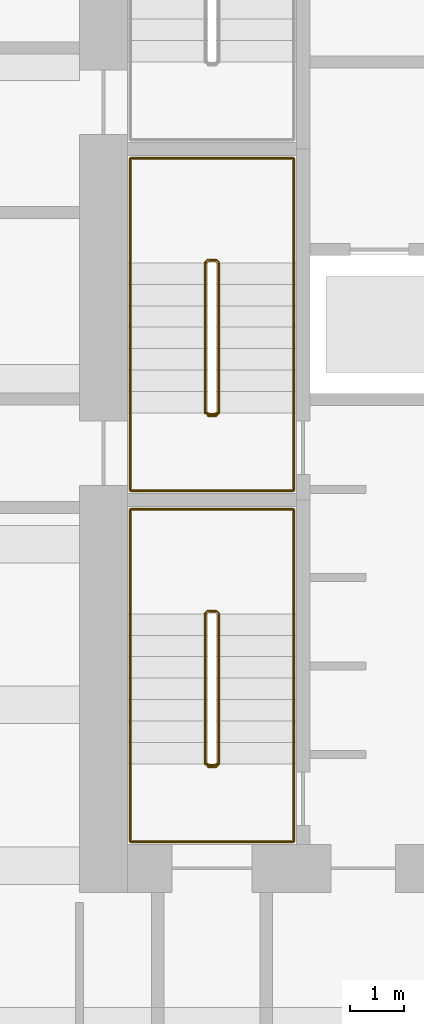
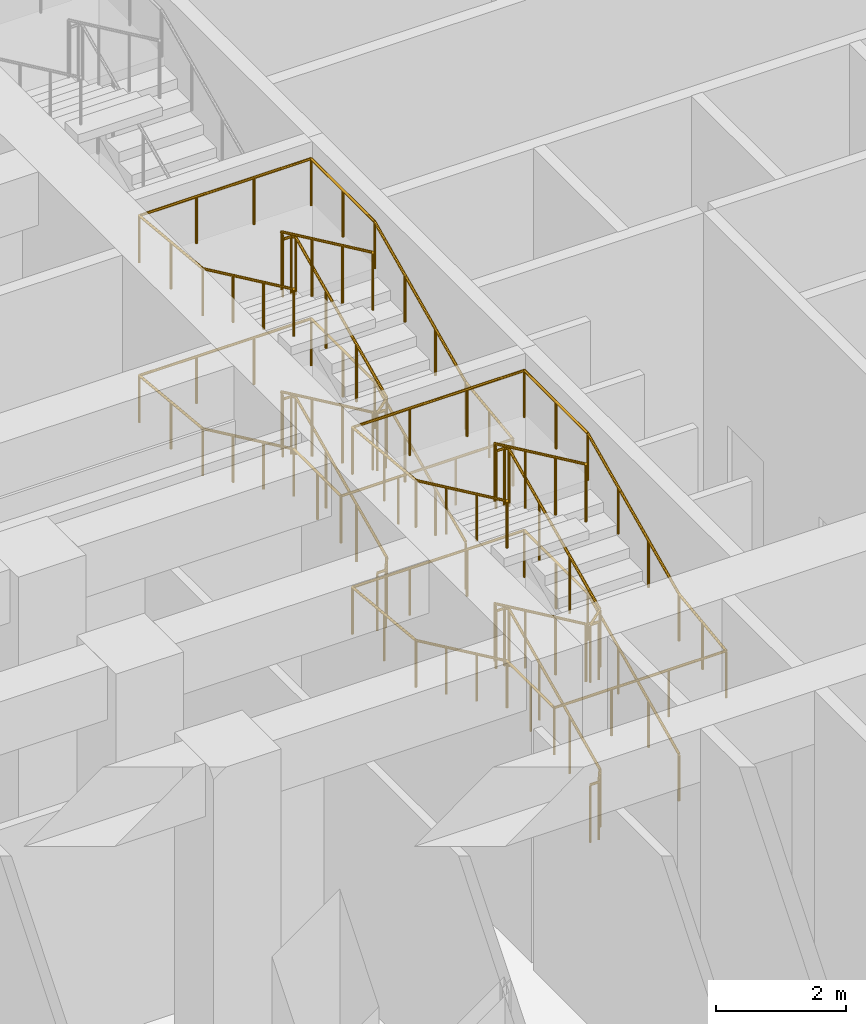
# One storey, part 28 of 32: 4 railings.
"""IFC4 building model written with IfcOpenShell, lengths in metres."""

import ifcopenshell
import ifcopenshell.guid

model = None  # the IFC model being written
_history = None  # IfcOwnerHistory: only IFC2X3 demands one
_inside = {}  # id of a spatial element -> (the spatial element, [elements in it])
_under = {}  # id of a project, library or spatial element -> (it, [spatial elements below it])
_declared = {}  # id of a project -> (the project, [libraries it declares])
_typed = {}  # id of a type object -> (the type object, [elements of that type])
_made_of = {}  # id of a material, layer set ... -> (it, [elements and type objects made of it])


def new_model(schema):
    """Start an empty IFC model of exactly this schema.

    Asked for "IFC4X3", IfcOpenShell would pick the latest addendum, in which some entities
    have other attributes; the version numbers below select the first issue.
    IFC2X3 requires an IfcOwnerHistory on every rooted entity: one is made here for all.
    """
    global model, _history
    if schema == "IFC4X3":
        model = ifcopenshell.file(schema_version=(4, 3, 0, 0))
    else:
        model = ifcopenshell.file(schema=schema)
    _inside.clear()
    _under.clear()
    _declared.clear()
    _typed.clear()
    _made_of.clear()
    _history = None
    if model.schema == "IFC2X3":
        org = make("IfcOrganization", Name="unknown")
        user = make(
            "IfcPersonAndOrganization",
            ThePerson=make("IfcPerson", FamilyName="unknown"),
            TheOrganization=org,
        )
        app = make(
            "IfcApplication",
            ApplicationDeveloper=org,
            Version="unknown",
            ApplicationFullName="unknown",
            ApplicationIdentifier="unknown",
        )
        _history = make(
            "IfcOwnerHistory",
            OwningUser=user,
            OwningApplication=app,
            ChangeAction="ADDED",
            CreationDate=0,
        )
    return model


def make(cls, **values):
    """One entity of the class cls with the attributes given. An attribute that is None is left unset."""
    return model.create_entity(
        cls, **{name: value for name, value in values.items() if value is not None}
    )


def rooted(cls, **values):
    """An entity with a GlobalId (a new one), such as an element, a storey or a relation."""
    return make(cls, GlobalId=ifcopenshell.guid.new(), OwnerHistory=_history, **values)


def si_unit(unit_type, name, prefix=None):
    """IfcSIUnit, for example si_unit("LENGTHUNIT", "METRE", prefix="MILLI")."""
    return make("IfcSIUnit", UnitType=unit_type, Prefix=prefix, Name=name)


def assignment(units):
    """IfcUnitAssignment: the units of a project."""
    return None if units is None else make("IfcUnitAssignment", Units=units)


def point(xyz):
    """IfcCartesianPoint."""
    return None if xyz is None else make("IfcCartesianPoint", Coordinates=xyz)


def direction(xyz):
    """IfcDirection."""
    return None if xyz is None else make("IfcDirection", DirectionRatios=xyz)


def frame(location, z_axis=None, x_axis=None):
    """IfcAxis2Placement3D, a coordinate frame: its origin and axes. An axis left out is left unset."""
    return make(
        "IfcAxis2Placement3D",
        Location=point(location),
        Axis=direction(z_axis),
        RefDirection=direction(x_axis),
    )


def frame_2d(location, x_axis=None):
    """IfcAxis2Placement2D, a coordinate frame in the plane: its origin and x axis."""
    return make(
        "IfcAxis2Placement2D", Location=point(location), RefDirection=direction(x_axis)
    )


def origin():
    """The frame at (0, 0, 0) with its axes left unset."""
    return frame((0.0, 0.0, 0.0))


def origin_2d():
    """The frame at (0, 0) in the plane with its x axis left unset."""
    return frame_2d((0.0, 0.0))


def place(relative_to, where):
    """IfcLocalPlacement: puts the frame where relative to a parent placement (None: the world)."""
    return make(
        "IfcLocalPlacement", PlacementRelTo=relative_to, RelativePlacement=where
    )


def context(
    kind, dimensions, precision=None, world=None, true_north=None, identifier=None
):
    """IfcGeometricRepresentationContext, for example the 3D "Model" context."""
    return make(
        "IfcGeometricRepresentationContext",
        ContextIdentifier=identifier,
        ContextType=kind,
        CoordinateSpaceDimension=dimensions,
        Precision=precision,
        WorldCoordinateSystem=world,
        TrueNorth=true_north,
    )


def subcontext(parent, identifier, kind, view, scale=None):
    """IfcGeometricRepresentationSubContext, for example "Body" below "Model"."""
    return make(
        "IfcGeometricRepresentationSubContext",
        ContextIdentifier=identifier,
        ContextType=kind,
        ParentContext=parent,
        TargetScale=scale,
        TargetView=view,
    )


def project(units=None, contexts=None):
    """IfcProject with its units and contexts."""
    return rooted(
        "IfcProject",
        Name="project",
        RepresentationContexts=contexts,
        UnitsInContext=assignment(units),
    )


def spatial(cls, under=None, at=None, **own):
    """A site, building, storey or space (cls), placed at a placement, below another one or the project."""
    s = rooted(cls, ObjectPlacement=at, **own)
    if under is not None:
        _under.setdefault(under.id(), (under, []))[1].append(s)
    return s


def profile(cls, at=None, kind="AREA", **sizes):
    """A parametric profile (cls). Its sizes go by their IFC names, for example OverallWidth=200.0."""
    return make(cls, ProfileType=kind, Position=at, **sizes)


def circle(**sizes):
    """IfcCircleProfileDef."""
    return profile("IfcCircleProfileDef", **sizes)


def extrude(swept, where, along, depth):
    """IfcExtrudedAreaSolid: the profile swept, set in the frame where, extruded along a direction by depth."""
    return make(
        "IfcExtrudedAreaSolid",
        SweptArea=swept,
        Position=where,
        ExtrudedDirection=direction(along),
        Depth=depth,
    )


def shape(context_of_items, identifier, shape_type, items):
    """IfcShapeRepresentation: the items that make up one representation, for example the "Body"."""
    return make(
        "IfcShapeRepresentation",
        ContextOfItems=context_of_items,
        RepresentationIdentifier=identifier,
        RepresentationType=shape_type,
        Items=items,
    )


def material(Name=None, Category=None):
    """IfcMaterial."""
    return make("IfcMaterial", Name=Name, Category=Category)


def made_of(thing, what):
    """Note that an element or type object is made of a material, layer set ...; save() writes the relation."""
    if what is not None:
        _made_of.setdefault(what.id(), (what, []))[1].append(thing)
    return thing


def type_object(cls, material=None, **own):
    """A type object (cls), such as IfcWallType, which elements share."""
    return made_of(rooted(cls, **own), material)


def element(
    cls,
    number,
    at=None,
    inside=None,
    cuts=None,
    type_object=None,
    material=None,
    context=None,
    identifier="Body",
    shape_type=None,
    held_by="IfcProductDefinitionShape",
    body=None,
    shapes=None,
    **own,
):
    """One element of the class cls, such as IfcWall. Its Tag is "e" and its number.

    at: its placement. inside: the storey or other place that contains it. cuts: it is an
    opening in that element (IfcRelVoidsElement). A single representation is given by context,
    identifier, shape_type and body (its items); several are given by shapes. held_by: the class
    of the entity that holds the representations. save() writes the other relations.
    """
    e = rooted(cls, Tag="e%d" % number, ObjectPlacement=at, **own)
    if body is not None:
        shapes = [shape(context, identifier, shape_type, body)]
    if shapes is not None:
        e.Representation = make(held_by, Representations=shapes)
    if inside is not None:
        _inside.setdefault(inside.id(), (inside, []))[1].append(e)
    if cuts is not None:
        rooted(
            "IfcRelVoidsElement", RelatingBuildingElement=cuts, RelatedOpeningElement=e
        )
    if type_object is not None:
        _typed.setdefault(type_object.id(), (type_object, []))[1].append(e)
    return made_of(e, material)


def aggregate(whole, parts):
    """IfcRelAggregates: a whole, such as a stair, and the parts it consists of."""
    return rooted("IfcRelAggregates", RelatingObject=whole, RelatedObjects=parts)


def save(model, path):
    """Write the relations noted so far, then the file.

    IfcRelAggregates (storeys below a building ...), IfcRelContainedInSpatialStructure (elements
    in a storey), IfcRelDefinesByType, IfcRelAssociatesMaterial and IfcRelDeclares: one each for
    every whole, place, type object, material and project.
    """
    for whole, parts in _under.values():
        aggregate(whole, parts)
    for where, things in _inside.values():
        rooted(
            "IfcRelContainedInSpatialStructure",
            RelatedElements=things,
            RelatingStructure=where,
        )
    for kind, things in _typed.values():
        rooted("IfcRelDefinesByType", RelatedObjects=things, RelatingType=kind)
    for what, things in _made_of.values():
        rooted("IfcRelAssociatesMaterial", RelatedObjects=things, RelatingMaterial=what)
    for by, libraries in _declared.values():
        rooted("IfcRelDeclares", RelatingContext=by, RelatedDefinitions=libraries)
    model.write(path)


model = new_model("IFC4")

# Units and contexts
model_context = context("Model", 3, precision=1e-05, world=origin(), true_north=direction((0.0, 1.0)))
body_context = subcontext(model_context, "Body", "Model", "MODEL_VIEW")
ifc_project = project(units=[si_unit("LENGTHUNIT", "METRE"), si_unit("AREAUNIT", "SQUARE_METRE"), si_unit("VOLUMEUNIT", "CUBIC_METRE"), si_unit("PLANEANGLEUNIT", "RADIAN"), si_unit("MASSUNIT", "GRAM", prefix="KILO")], contexts=[model_context])

# Site, building, storey
site_placement = place(None, origin())
site = spatial("IfcSite", under=ifc_project, at=site_placement, CompositionType="ELEMENT")
building_placement = place(site_placement, origin())
building = spatial("IfcBuilding", under=site, at=building_placement, Name="Welwitschia Terrace Campus", CompositionType="ELEMENT")
storey_placement = place(building_placement, origin())
storey = spatial("IfcBuildingStorey", under=building, at=storey_placement, Name="L00", CompositionType="ELEMENT", Elevation=0.0)

# Railings
ifc_material_1 = material(Name="Steel S355", Category="steel")
railing_type_1 = type_object("IfcRailingType", Name="Stair guard 1100", PredefinedType="GUARDRAIL", material=ifc_material_1)
railing_1_placement = place(storey_placement, frame((7.5, 6.85009765625, 0.0)))
element("IfcRailing", 1, at=railing_1_placement, inside=storey, type_object=railing_type_1, Name="L00 S1 stair guard", PredefinedType="GUARDRAIL", context=body_context, shape_type="SweptSolid", body=[
    extrude(circle(Radius=0.02392578125, at=origin_2d()), frame((0.0, 0.0, 1.076171875), z_axis=(1.0, 0.0, 0.0), x_axis=(0.0, 1.0, 0.0)), (0.0, 0.0, 1.0), 0.14990234375),
    extrude(circle(Radius=0.02392578125, at=origin_2d()), frame((0.14990234375, 0.0, 1.076171875), z_axis=(0.249802250048, 0.248583702486, 0.935844527007), x_axis=(-0.705375805398, 0.708833529934, 0.0)), (0.0, 0.0, 1.0), 0.200439453125),
    extrude(circle(Radius=0.02392578125, at=origin_2d()), frame((0.199951171875, 0.0498046875, 1.263671875), z_axis=(0.0, 0.905461780365, 0.424427808112), x_axis=(-1.0, 0.0, 0.0)), (0.0, 0.0, 1.0), 3.09228515625),
    extrude(circle(Radius=0.02392578125, at=origin_2d()), frame((0.199951171875, 2.849853515625, 2.576171875), z_axis=(-0.707106781187, 0.707106781187, 0.0), x_axis=(-0.707106781187, -0.707106781187, 0.0)), (0.0, 0.0, 1.0), 0.07080078125),
    extrude(circle(Radius=0.02392578125, at=origin_2d()), frame((0.14990234375, 2.89990234375, 2.576171875), z_axis=(-1.0, 0.0, 0.0), x_axis=(0.0, -1.0, 0.0)), (0.0, 0.0, 1.0), 0.14990234375),
    extrude(circle(Radius=0.02392578125, at=origin_2d()), frame((0.0, 2.89990234375, 2.576171875), z_axis=(-0.249726431254, -0.249726431254, 0.935560483917), x_axis=(0.707106781187, -0.707106781187, 0.0)), (0.0, 0.0, 1.0), 0.200439453125),
    extrude(circle(Radius=0.02392578125, at=origin_2d()), frame((-0.050048828125, 2.849853515625, 2.763671875), z_axis=(0.0, -0.905461780365, 0.424427808112), x_axis=(1.0, 0.0, 0.0)), (0.0, 0.0, 1.0), 3.09228515625),
    extrude(circle(Radius=0.02392578125, at=origin_2d()), frame((-0.050048828125, 0.0498046875, 4.076171875), z_axis=(0.970351222016, -0.241699205484, 0.0), x_axis=(0.241699205484, 0.970351222016, 0.0)), (0.0, 0.0, 1.0), 0.2060546875),
    extrude(circle(Radius=0.02392578125, at=origin_2d()), frame((0.14990234375, 0.0, 4.076171875), z_axis=(-1.0, 0.0, 0.0), x_axis=(0.0, -1.0, 0.0)), (0.0, 0.0, 1.0), 0.14990234375),
    extrude(circle(Radius=0.02392578125, at=origin_2d()), frame((0.0, 0.0, 4.076171875), z_axis=(0.717703211385, 0.178768565473, 0.673011070017), x_axis=(-0.241699205484, 0.970351222016, 0.0)), (0.0, 0.0, 1.0), 0.278564453125),
    extrude(circle(Radius=0.02392578125, at=origin_2d()), frame((0.199951171875, 0.0498046875, 4.263671875), z_axis=(0.0, 0.905461780365, 0.424427808112), x_axis=(-1.0, 0.0, 0.0)), (0.0, 0.0, 1.0), 3.09228515625),
    extrude(circle(Radius=0.02392578125, at=origin_2d()), frame((0.199951171875, 2.849853515625, 5.576171875), z_axis=(-0.707106781187, 0.707106781187, 0.0), x_axis=(-0.707106781187, -0.707106781187, 0.0)), (0.0, 0.0, 1.0), 0.07080078125),
    extrude(circle(Radius=0.02392578125, at=origin_2d()), frame((0.14990234375, 2.89990234375, 5.576171875), z_axis=(-1.0, 0.0, 0.0), x_axis=(0.0, -1.0, 0.0)), (0.0, 0.0, 1.0), 0.14990234375),
    extrude(circle(Radius=0.02392578125, at=origin_2d()), frame((0.0, 2.89990234375, 5.576171875), z_axis=(-0.249726431254, -0.249726431254, 0.935560483917), x_axis=(0.707106781187, -0.707106781187, 0.0)), (0.0, 0.0, 1.0), 0.200439453125),
    extrude(circle(Radius=0.02392578125, at=origin_2d()), frame((-0.050048828125, 2.849853515625, 5.763671875), z_axis=(0.0, -0.905461780365, 0.424427808112), x_axis=(1.0, 0.0, 0.0)), (0.0, 0.0, 1.0), 3.09228515625),
    extrude(circle(Radius=0.02099609375, at=origin_2d()), origin(), (0.0, 0.0, 1.0), 1.052001953125),
    extrude(circle(Radius=0.02099609375, at=origin_2d()), frame((0.14990234375, 0.0, 0.0)), (0.0, 0.0, 1.0), 1.052001953125),
    extrude(circle(Radius=0.02099609375, at=origin_2d()), frame((0.199951171875, 0.0498046875, 0.1875)), (0.0, 0.0, 1.0), 1.052001953125),
    extrude(circle(Radius=0.02099609375, at=origin_2d()), frame((0.199951171875, 0.983154296875, 0.625)), (0.0, 0.0, 1.0), 1.052001953125),
    extrude(circle(Radius=0.02099609375, at=origin_2d()), frame((0.199951171875, 1.91650390625, 1.0625)), (0.0, 0.0, 1.0), 1.052001953125),
    extrude(circle(Radius=0.02099609375, at=origin_2d()), frame((0.199951171875, 2.849853515625, 1.5)), (0.0, 0.0, 1.0), 1.052001953125),
    extrude(circle(Radius=0.02099609375, at=origin_2d()), frame((0.14990234375, 2.89990234375, 1.5)), (0.0, 0.0, 1.0), 1.052001953125),
    extrude(circle(Radius=0.02099609375, at=origin_2d()), frame((0.0, 2.89990234375, 1.5)), (0.0, 0.0, 1.0), 1.052001953125),
    extrude(circle(Radius=0.02099609375, at=origin_2d()), frame((-0.050048828125, 2.849853515625, 1.6875)), (0.0, 0.0, 1.0), 1.052001953125),
    extrude(circle(Radius=0.02099609375, at=origin_2d()), frame((-0.050048828125, 1.91650390625, 2.125)), (0.0, 0.0, 1.0), 1.052001953125),
    extrude(circle(Radius=0.02099609375, at=origin_2d()), frame((-0.050048828125, 0.983154296875, 2.5625)), (0.0, 0.0, 1.0), 1.052001953125),
    extrude(circle(Radius=0.02099609375, at=origin_2d()), frame((-0.050048828125, 0.0498046875, 3.0)), (0.0, 0.0, 1.0), 1.052001953125),
    extrude(circle(Radius=0.02099609375, at=origin_2d()), frame((0.14990234375, 0.0, 3.0)), (0.0, 0.0, 1.0), 1.052001953125),
    extrude(circle(Radius=0.02099609375, at=origin_2d()), frame((0.0, 0.0, 3.0)), (0.0, 0.0, 1.0), 1.052001953125),
    extrude(circle(Radius=0.02099609375, at=origin_2d()), frame((0.199951171875, 0.0498046875, 3.1875)), (0.0, 0.0, 1.0), 1.052001953125),
    extrude(circle(Radius=0.02099609375, at=origin_2d()), frame((0.199951171875, 0.983154296875, 3.625)), (0.0, 0.0, 1.0), 1.052001953125),
    extrude(circle(Radius=0.02099609375, at=origin_2d()), frame((0.199951171875, 1.91650390625, 4.0625)), (0.0, 0.0, 1.0), 1.052001953125),
    extrude(circle(Radius=0.02099609375, at=origin_2d()), frame((0.199951171875, 2.849853515625, 4.5)), (0.0, 0.0, 1.0), 1.052001953125),
    extrude(circle(Radius=0.02099609375, at=origin_2d()), frame((0.14990234375, 2.89990234375, 4.5)), (0.0, 0.0, 1.0), 1.052001953125),
    extrude(circle(Radius=0.02099609375, at=origin_2d()), frame((0.0, 2.89990234375, 4.5)), (0.0, 0.0, 1.0), 1.052001953125),
    extrude(circle(Radius=0.02099609375, at=origin_2d()), frame((-0.050048828125, 2.849853515625, 4.6875)), (0.0, 0.0, 1.0), 1.052001953125),
    extrude(circle(Radius=0.02099609375, at=origin_2d()), frame((-0.050048828125, 1.91650390625, 5.125)), (0.0, 0.0, 1.0), 1.052001953125),
    extrude(circle(Radius=0.02099609375, at=origin_2d()), frame((-0.050048828125, 0.983154296875, 5.5625)), (0.0, 0.0, 1.0), 1.052001953125),
    extrude(circle(Radius=0.02099609375, at=origin_2d()), frame((-0.050048828125, 0.0498046875, 6.0)), (0.0, 0.0, 1.0), 1.052001953125),
])
railing_2_placement = place(storey_placement, frame((7.5, 13.39990234375, 0.0)))
element("IfcRailing", 2, at=railing_2_placement, inside=storey, type_object=railing_type_1, Name="L00 S3 stair guard", PredefinedType="GUARDRAIL", context=body_context, shape_type="SweptSolid", body=[
    extrude(circle(Radius=0.02392578125, at=origin_2d()), frame((0.0, 0.0, 1.076171875), z_axis=(1.0, 0.0, 0.0), x_axis=(0.0, 1.0, 0.0)), (0.0, 0.0, 1.0), 0.14990234375),
    extrude(circle(Radius=0.02392578125, at=origin_2d()), frame((0.14990234375, 0.0, 1.076171875), z_axis=(0.249726431254, 0.249726431254, 0.935560483917), x_axis=(-0.707106781187, 0.707106781187, 0.0)), (0.0, 0.0, 1.0), 0.200439453125),
    extrude(circle(Radius=0.02392578125, at=origin_2d()), frame((0.199951171875, 0.050048828125, 1.263671875), z_axis=(0.0, 0.905461780365, 0.424427808112), x_axis=(-1.0, 0.0, 0.0)), (0.0, 0.0, 1.0), 3.09228515625),
    extrude(circle(Radius=0.02392578125, at=origin_2d()), frame((0.199951171875, 2.85009765625, 2.576171875), z_axis=(-0.707106781187, 0.707106781187, 0.0), x_axis=(-0.707106781187, -0.707106781187, 0.0)), (0.0, 0.0, 1.0), 0.07080078125),
    extrude(circle(Radius=0.02392578125, at=origin_2d()), frame((0.14990234375, 2.900146484375, 2.576171875), z_axis=(-1.0, 0.0, 0.0), x_axis=(0.0, -1.0, 0.0)), (0.0, 0.0, 1.0), 0.14990234375),
    extrude(circle(Radius=0.02392578125, at=origin_2d()), frame((0.0, 2.900146484375, 2.576171875), z_axis=(-0.249726431254, -0.249726431254, 0.935560483917), x_axis=(0.707106781187, -0.707106781187, 0.0)), (0.0, 0.0, 1.0), 0.200439453125),
    extrude(circle(Radius=0.02392578125, at=origin_2d()), frame((-0.050048828125, 2.85009765625, 2.763671875), z_axis=(0.0, -0.905461780365, 0.424427808112), x_axis=(1.0, 0.0, 0.0)), (0.0, 0.0, 1.0), 3.09228515625),
    extrude(circle(Radius=0.02392578125, at=origin_2d()), frame((-0.050048828125, 0.050048828125, 4.076171875), z_axis=(0.970072785993, -0.242814311512, 0.0), x_axis=(0.242814311512, 0.970072785993, 0.0)), (0.0, 0.0, 1.0), 0.2060546875),
    extrude(circle(Radius=0.02392578125, at=origin_2d()), frame((0.14990234375, 0.0, 4.076171875), z_axis=(-1.0, 0.0, 0.0), x_axis=(0.0, -1.0, 0.0)), (0.0, 0.0, 1.0), 0.14990234375),
    extrude(circle(Radius=0.02392578125, at=origin_2d()), frame((0.0, 0.0, 4.076171875), z_axis=(0.717590528518, 0.179616676857, 0.672905404032), x_axis=(-0.242814311512, 0.970072785993, 0.0)), (0.0, 0.0, 1.0), 0.278564453125),
    extrude(circle(Radius=0.02392578125, at=origin_2d()), frame((0.199951171875, 0.050048828125, 4.263671875), z_axis=(0.0, 0.905461780365, 0.424427808112), x_axis=(-1.0, 0.0, 0.0)), (0.0, 0.0, 1.0), 3.09228515625),
    extrude(circle(Radius=0.02392578125, at=origin_2d()), frame((0.199951171875, 2.85009765625, 5.576171875), z_axis=(-0.707106781187, 0.707106781187, 0.0), x_axis=(-0.707106781187, -0.707106781187, 0.0)), (0.0, 0.0, 1.0), 0.07080078125),
    extrude(circle(Radius=0.02392578125, at=origin_2d()), frame((0.14990234375, 2.900146484375, 5.576171875), z_axis=(-1.0, 0.0, 0.0), x_axis=(0.0, -1.0, 0.0)), (0.0, 0.0, 1.0), 0.14990234375),
    extrude(circle(Radius=0.02392578125, at=origin_2d()), frame((0.0, 2.900146484375, 5.576171875), z_axis=(-0.249726431254, -0.249726431254, 0.935560483917), x_axis=(0.707106781187, -0.707106781187, 0.0)), (0.0, 0.0, 1.0), 0.200439453125),
    extrude(circle(Radius=0.02392578125, at=origin_2d()), frame((-0.050048828125, 2.85009765625, 5.763671875), z_axis=(0.0, -0.905461780365, 0.424427808112), x_axis=(1.0, 0.0, 0.0)), (0.0, 0.0, 1.0), 3.09228515625),
    extrude(circle(Radius=0.02099609375, at=origin_2d()), origin(), (0.0, 0.0, 1.0), 1.052001953125),
    extrude(circle(Radius=0.02099609375, at=origin_2d()), frame((0.14990234375, 0.0, 0.0)), (0.0, 0.0, 1.0), 1.052001953125),
    extrude(circle(Radius=0.02099609375, at=origin_2d()), frame((0.199951171875, 0.050048828125, 0.1875)), (0.0, 0.0, 1.0), 1.052001953125),
    extrude(circle(Radius=0.02099609375, at=origin_2d()), frame((0.199951171875, 0.9833984375, 0.625)), (0.0, 0.0, 1.0), 1.052001953125),
    extrude(circle(Radius=0.02099609375, at=origin_2d()), frame((0.199951171875, 1.916748046875, 1.0625)), (0.0, 0.0, 1.0), 1.052001953125),
    extrude(circle(Radius=0.02099609375, at=origin_2d()), frame((0.199951171875, 2.85009765625, 1.5)), (0.0, 0.0, 1.0), 1.052001953125),
    extrude(circle(Radius=0.02099609375, at=origin_2d()), frame((0.14990234375, 2.900146484375, 1.5)), (0.0, 0.0, 1.0), 1.052001953125),
    extrude(circle(Radius=0.02099609375, at=origin_2d()), frame((0.0, 2.900146484375, 1.5)), (0.0, 0.0, 1.0), 1.052001953125),
    extrude(circle(Radius=0.02099609375, at=origin_2d()), frame((-0.050048828125, 2.85009765625, 1.6875)), (0.0, 0.0, 1.0), 1.052001953125),
    extrude(circle(Radius=0.02099609375, at=origin_2d()), frame((-0.050048828125, 1.916748046875, 2.125)), (0.0, 0.0, 1.0), 1.052001953125),
    extrude(circle(Radius=0.02099609375, at=origin_2d()), frame((-0.050048828125, 0.9833984375, 2.5625)), (0.0, 0.0, 1.0), 1.052001953125),
    extrude(circle(Radius=0.02099609375, at=origin_2d()), frame((-0.050048828125, 0.050048828125, 3.0)), (0.0, 0.0, 1.0), 1.052001953125),
    extrude(circle(Radius=0.02099609375, at=origin_2d()), frame((0.14990234375, 0.0, 3.0)), (0.0, 0.0, 1.0), 1.052001953125),
    extrude(circle(Radius=0.02099609375, at=origin_2d()), frame((0.0, 0.0, 3.0)), (0.0, 0.0, 1.0), 1.052001953125),
    extrude(circle(Radius=0.02099609375, at=origin_2d()), frame((0.199951171875, 0.050048828125, 3.1875)), (0.0, 0.0, 1.0), 1.052001953125),
    extrude(circle(Radius=0.02099609375, at=origin_2d()), frame((0.199951171875, 0.9833984375, 3.625)), (0.0, 0.0, 1.0), 1.052001953125),
    extrude(circle(Radius=0.02099609375, at=origin_2d()), frame((0.199951171875, 1.916748046875, 4.0625)), (0.0, 0.0, 1.0), 1.052001953125),
    extrude(circle(Radius=0.02099609375, at=origin_2d()), frame((0.199951171875, 2.85009765625, 4.5)), (0.0, 0.0, 1.0), 1.052001953125),
    extrude(circle(Radius=0.02099609375, at=origin_2d()), frame((0.14990234375, 2.900146484375, 4.5)), (0.0, 0.0, 1.0), 1.052001953125),
    extrude(circle(Radius=0.02099609375, at=origin_2d()), frame((0.0, 2.900146484375, 4.5)), (0.0, 0.0, 1.0), 1.052001953125),
    extrude(circle(Radius=0.02099609375, at=origin_2d()), frame((-0.050048828125, 2.85009765625, 4.6875)), (0.0, 0.0, 1.0), 1.052001953125),
    extrude(circle(Radius=0.02099609375, at=origin_2d()), frame((-0.050048828125, 1.916748046875, 5.125)), (0.0, 0.0, 1.0), 1.052001953125),
    extrude(circle(Radius=0.02099609375, at=origin_2d()), frame((-0.050048828125, 0.9833984375, 5.5625)), (0.0, 0.0, 1.0), 1.052001953125),
    extrude(circle(Radius=0.02099609375, at=origin_2d()), frame((-0.050048828125, 0.050048828125, 6.0)), (0.0, 0.0, 1.0), 1.052001953125),
])
ifc_material_2 = material(Name="Steel S355", Category="steel")
railing_type_2 = type_object("IfcRailingType", Name="Stair handrail 900", PredefinedType="HANDRAIL", material=ifc_material_2)
railing_3_placement = place(storey_placement, frame((9.10009765625, 6.89990234375, 0.1875)))
element("IfcRailing", 3, at=railing_3_placement, inside=storey, type_object=railing_type_2, Name="L00 S1 stair handrail", PredefinedType="HANDRAIL", context=body_context, shape_type="SweptSolid", body=[
    extrude(circle(Radius=0.02392578125, at=origin_2d()), frame((0.0, 0.0, 0.8759765625), z_axis=(0.0, 0.905461780365, 0.424427808112), x_axis=(-1.0, 0.0, 0.0)), (0.0, 0.0, 1.0), 3.09228515625),
    extrude(circle(Radius=0.02392578125, at=origin_2d()), frame((0.0, 2.800048828125, 2.1884765625), z_axis=(0.0, 1.0, 0.0), x_axis=(-1.0, 0.0, 0.0)), (0.0, 0.0, 1.0), 1.949951171875),
    extrude(circle(Radius=0.02392578125, at=origin_2d()), frame((0.0, 4.75, 2.1884765625), z_axis=(-1.0, 0.0, 0.0), x_axis=(0.0, -1.0, 0.0)), (0.0, 0.0, 1.0), 3.050048828125),
    extrude(circle(Radius=0.02392578125, at=origin_2d()), frame((-3.050048828125, 4.75, 2.1884765625), z_axis=(0.0, -0.995408800756, 0.095714781392), x_axis=(1.0, 0.0, 0.0)), (0.0, 0.0, 1.0), 1.958984375),
    extrude(circle(Radius=0.02392578125, at=origin_2d()), frame((-3.050048828125, 2.800048828125, 2.3759765625), z_axis=(0.0, -0.905461780365, 0.424427808112), x_axis=(1.0, 0.0, 0.0)), (0.0, 0.0, 1.0), 3.09228515625),
    extrude(circle(Radius=0.02392578125, at=origin_2d()), frame((-3.050048828125, 0.0, 3.6884765625), z_axis=(0.0, -1.0, 0.0), x_axis=(1.0, 0.0, 0.0)), (0.0, 0.0, 1.0), 1.449951171875),
    extrude(circle(Radius=0.02392578125, at=origin_2d()), frame((-3.050048828125, -1.449951171875, 3.6884765625), z_axis=(1.0, 0.0, 0.0), x_axis=(0.0, 1.0, 0.0)), (0.0, 0.0, 1.0), 3.050048828125),
    extrude(circle(Radius=0.02392578125, at=origin_2d()), frame((0.0, -1.449951171875, 3.6884765625), z_axis=(0.0, 0.991742277163, 0.128246854498), x_axis=(-1.0, 0.0, 0.0)), (0.0, 0.0, 1.0), 1.4619140625),
    extrude(circle(Radius=0.02392578125, at=origin_2d()), frame((0.0, 0.0, 3.8759765625), z_axis=(0.0, 0.905461780365, 0.424427808112), x_axis=(-1.0, 0.0, 0.0)), (0.0, 0.0, 1.0), 3.09228515625),
    extrude(circle(Radius=0.02392578125, at=origin_2d()), frame((0.0, 2.800048828125, 5.1884765625), z_axis=(0.0, 1.0, 0.0), x_axis=(-1.0, 0.0, 0.0)), (0.0, 0.0, 1.0), 1.949951171875),
    extrude(circle(Radius=0.02392578125, at=origin_2d()), frame((0.0, 4.75, 5.1884765625), z_axis=(-1.0, 0.0, 0.0), x_axis=(0.0, -1.0, 0.0)), (0.0, 0.0, 1.0), 3.050048828125),
    extrude(circle(Radius=0.02392578125, at=origin_2d()), frame((-3.050048828125, 4.75, 5.1884765625), z_axis=(0.0, -0.995408800756, 0.095714781392), x_axis=(1.0, 0.0, 0.0)), (0.0, 0.0, 1.0), 1.958984375),
    extrude(circle(Radius=0.02392578125, at=origin_2d()), frame((-3.050048828125, 2.800048828125, 5.3759765625), z_axis=(0.0, -0.905461780365, 0.424427808112), x_axis=(1.0, 0.0, 0.0)), (0.0, 0.0, 1.0), 3.09228515625),
    extrude(circle(Radius=0.02099609375, at=origin_2d()), origin(), (0.0, 0.0, 1.0), 0.851806640625),
    extrude(circle(Radius=0.02099609375, at=origin_2d()), frame((0.0, 0.933349609375, 0.4375)), (0.0, 0.0, 1.0), 0.851806640625),
    extrude(circle(Radius=0.02099609375, at=origin_2d()), frame((0.0, 1.86669921875, 0.875)), (0.0, 0.0, 1.0), 0.851806640625),
    extrude(circle(Radius=0.02099609375, at=origin_2d()), frame((0.0, 2.800048828125, 1.3125)), (0.0, 0.0, 1.0), 0.851806640625),
    extrude(circle(Radius=0.02099609375, at=origin_2d()), frame((0.0, 3.77490234375, 1.3125)), (0.0, 0.0, 1.0), 0.851806640625),
    extrude(circle(Radius=0.02099609375, at=origin_2d()), frame((0.0, 4.75, 1.3125)), (0.0, 0.0, 1.0), 0.851806640625),
    extrude(circle(Radius=0.02099609375, at=origin_2d()), frame((-1.0166015625, 4.75, 1.3125)), (0.0, 0.0, 1.0), 0.851806640625),
    extrude(circle(Radius=0.02099609375, at=origin_2d()), frame((-2.033447265625, 4.75, 1.3125)), (0.0, 0.0, 1.0), 0.851806640625),
    extrude(circle(Radius=0.02099609375, at=origin_2d()), frame((-3.050048828125, 4.75, 1.3125)), (0.0, 0.0, 1.0), 0.851806640625),
    extrude(circle(Radius=0.02099609375, at=origin_2d()), frame((-3.050048828125, 3.77490234375, 1.40625)), (0.0, 0.0, 1.0), 0.851806640625),
    extrude(circle(Radius=0.02099609375, at=origin_2d()), frame((-3.050048828125, 2.800048828125, 1.5)), (0.0, 0.0, 1.0), 0.851806640625),
    extrude(circle(Radius=0.02099609375, at=origin_2d()), frame((-3.050048828125, 1.86669921875, 1.9375)), (0.0, 0.0, 1.0), 0.851806640625),
    extrude(circle(Radius=0.02099609375, at=origin_2d()), frame((-3.050048828125, 0.933349609375, 2.375)), (0.0, 0.0, 1.0), 0.851806640625),
    extrude(circle(Radius=0.02099609375, at=origin_2d()), frame((-3.050048828125, 0.0, 2.8125)), (0.0, 0.0, 1.0), 0.851806640625),
    extrude(circle(Radius=0.02099609375, at=origin_2d()), frame((-3.050048828125, -0.72509765625, 2.8125)), (0.0, 0.0, 1.0), 0.851806640625),
    extrude(circle(Radius=0.02099609375, at=origin_2d()), frame((-3.050048828125, -1.449951171875, 2.8125)), (0.0, 0.0, 1.0), 0.851806640625),
    extrude(circle(Radius=0.02099609375, at=origin_2d()), frame((-2.033447265625, -1.449951171875, 2.8125)), (0.0, 0.0, 1.0), 0.851806640625),
    extrude(circle(Radius=0.02099609375, at=origin_2d()), frame((-1.0166015625, -1.449951171875, 2.8125)), (0.0, 0.0, 1.0), 0.851806640625),
    extrude(circle(Radius=0.02099609375, at=origin_2d()), frame((0.0, -1.449951171875, 2.8125)), (0.0, 0.0, 1.0), 0.851806640625),
    extrude(circle(Radius=0.02099609375, at=origin_2d()), frame((0.0, -0.72509765625, 2.90625)), (0.0, 0.0, 1.0), 0.851806640625),
    extrude(circle(Radius=0.02099609375, at=origin_2d()), frame((0.0, 0.0, 3.0)), (0.0, 0.0, 1.0), 0.851806640625),
    extrude(circle(Radius=0.02099609375, at=origin_2d()), frame((0.0, 0.933349609375, 3.4375)), (0.0, 0.0, 1.0), 0.851806640625),
    extrude(circle(Radius=0.02099609375, at=origin_2d()), frame((0.0, 1.86669921875, 3.875)), (0.0, 0.0, 1.0), 0.851806640625),
    extrude(circle(Radius=0.02099609375, at=origin_2d()), frame((0.0, 2.800048828125, 4.3125)), (0.0, 0.0, 1.0), 0.851806640625),
    extrude(circle(Radius=0.02099609375, at=origin_2d()), frame((0.0, 3.77490234375, 4.3125)), (0.0, 0.0, 1.0), 0.851806640625),
    extrude(circle(Radius=0.02099609375, at=origin_2d()), frame((0.0, 4.75, 4.3125)), (0.0, 0.0, 1.0), 0.851806640625),
    extrude(circle(Radius=0.02099609375, at=origin_2d()), frame((-1.0166015625, 4.75, 4.3125)), (0.0, 0.0, 1.0), 0.851806640625),
    extrude(circle(Radius=0.02099609375, at=origin_2d()), frame((-2.033447265625, 4.75, 4.3125)), (0.0, 0.0, 1.0), 0.851806640625),
    extrude(circle(Radius=0.02099609375, at=origin_2d()), frame((-3.050048828125, 4.75, 4.3125)), (0.0, 0.0, 1.0), 0.851806640625),
    extrude(circle(Radius=0.02099609375, at=origin_2d()), frame((-3.050048828125, 3.77490234375, 4.40625)), (0.0, 0.0, 1.0), 0.851806640625),
    extrude(circle(Radius=0.02099609375, at=origin_2d()), frame((-3.050048828125, 2.800048828125, 4.5)), (0.0, 0.0, 1.0), 0.851806640625),
    extrude(circle(Radius=0.02099609375, at=origin_2d()), frame((-3.050048828125, 1.86669921875, 4.9375)), (0.0, 0.0, 1.0), 0.851806640625),
    extrude(circle(Radius=0.02099609375, at=origin_2d()), frame((-3.050048828125, 0.933349609375, 5.375)), (0.0, 0.0, 1.0), 0.851806640625),
    extrude(circle(Radius=0.02099609375, at=origin_2d()), frame((-3.050048828125, 0.0, 5.8125)), (0.0, 0.0, 1.0), 0.851806640625),
])
railing_4_placement = place(storey_placement, frame((9.10009765625, 13.449951171875, 0.1875)))
element("IfcRailing", 4, at=railing_4_placement, inside=storey, type_object=railing_type_2, Name="L00 S3 stair handrail", PredefinedType="HANDRAIL", context=body_context, shape_type="SweptSolid", body=[
    extrude(circle(Radius=0.02392578125, at=origin_2d()), frame((0.0, 0.0, 0.8759765625), z_axis=(0.0, 0.905461780365, 0.424427808112), x_axis=(-1.0, 0.0, 0.0)), (0.0, 0.0, 1.0), 3.09228515625),
    extrude(circle(Radius=0.02392578125, at=origin_2d()), frame((0.0, 2.800048828125, 2.1884765625), z_axis=(0.0, 1.0, 0.0), x_axis=(-1.0, 0.0, 0.0)), (0.0, 0.0, 1.0), 1.949951171875),
    extrude(circle(Radius=0.02392578125, at=origin_2d()), frame((0.0, 4.75, 2.1884765625), z_axis=(-1.0, 0.0, 0.0), x_axis=(0.0, -1.0, 0.0)), (0.0, 0.0, 1.0), 3.050048828125),
    extrude(circle(Radius=0.02392578125, at=origin_2d()), frame((-3.050048828125, 4.75, 2.1884765625), z_axis=(0.0, -0.995408800756, 0.095714781392), x_axis=(1.0, 0.0, 0.0)), (0.0, 0.0, 1.0), 1.958984375),
    extrude(circle(Radius=0.02392578125, at=origin_2d()), frame((-3.050048828125, 2.800048828125, 2.3759765625), z_axis=(0.0, -0.905461780365, 0.424427808112), x_axis=(1.0, 0.0, 0.0)), (0.0, 0.0, 1.0), 3.09228515625),
    extrude(circle(Radius=0.02392578125, at=origin_2d()), frame((-3.050048828125, 0.0, 3.6884765625), z_axis=(0.0, -1.0, 0.0), x_axis=(1.0, 0.0, 0.0)), (0.0, 0.0, 1.0), 1.449951171875),
    extrude(circle(Radius=0.02392578125, at=origin_2d()), frame((-3.050048828125, -1.449951171875, 3.6884765625), z_axis=(1.0, 0.0, 0.0), x_axis=(0.0, 1.0, 0.0)), (0.0, 0.0, 1.0), 3.050048828125),
    extrude(circle(Radius=0.02392578125, at=origin_2d()), frame((0.0, -1.449951171875, 3.6884765625), z_axis=(0.0, 0.991742277163, 0.128246854498), x_axis=(-1.0, 0.0, 0.0)), (0.0, 0.0, 1.0), 1.4619140625),
    extrude(circle(Radius=0.02392578125, at=origin_2d()), frame((0.0, 0.0, 3.8759765625), z_axis=(0.0, 0.905461780365, 0.424427808112), x_axis=(-1.0, 0.0, 0.0)), (0.0, 0.0, 1.0), 3.09228515625),
    extrude(circle(Radius=0.02392578125, at=origin_2d()), frame((0.0, 2.800048828125, 5.1884765625), z_axis=(0.0, 1.0, 0.0), x_axis=(-1.0, 0.0, 0.0)), (0.0, 0.0, 1.0), 1.949951171875),
    extrude(circle(Radius=0.02392578125, at=origin_2d()), frame((0.0, 4.75, 5.1884765625), z_axis=(-1.0, 0.0, 0.0), x_axis=(0.0, -1.0, 0.0)), (0.0, 0.0, 1.0), 3.050048828125),
    extrude(circle(Radius=0.02392578125, at=origin_2d()), frame((-3.050048828125, 4.75, 5.1884765625), z_axis=(0.0, -0.995408800756, 0.095714781392), x_axis=(1.0, 0.0, 0.0)), (0.0, 0.0, 1.0), 1.958984375),
    extrude(circle(Radius=0.02392578125, at=origin_2d()), frame((-3.050048828125, 2.800048828125, 5.3759765625), z_axis=(0.0, -0.905461780365, 0.424427808112), x_axis=(1.0, 0.0, 0.0)), (0.0, 0.0, 1.0), 3.09228515625),
    extrude(circle(Radius=0.02099609375, at=origin_2d()), origin(), (0.0, 0.0, 1.0), 0.851806640625),
    extrude(circle(Radius=0.02099609375, at=origin_2d()), frame((0.0, 0.933349609375, 0.4375)), (0.0, 0.0, 1.0), 0.851806640625),
    extrude(circle(Radius=0.02099609375, at=origin_2d()), frame((0.0, 1.86669921875, 0.875)), (0.0, 0.0, 1.0), 0.851806640625),
    extrude(circle(Radius=0.02099609375, at=origin_2d()), frame((0.0, 2.800048828125, 1.3125)), (0.0, 0.0, 1.0), 0.851806640625),
    extrude(circle(Radius=0.02099609375, at=origin_2d()), frame((0.0, 3.77490234375, 1.3125)), (0.0, 0.0, 1.0), 0.851806640625),
    extrude(circle(Radius=0.02099609375, at=origin_2d()), frame((0.0, 4.75, 1.3125)), (0.0, 0.0, 1.0), 0.851806640625),
    extrude(circle(Radius=0.02099609375, at=origin_2d()), frame((-1.0166015625, 4.75, 1.3125)), (0.0, 0.0, 1.0), 0.851806640625),
    extrude(circle(Radius=0.02099609375, at=origin_2d()), frame((-2.033447265625, 4.75, 1.3125)), (0.0, 0.0, 1.0), 0.851806640625),
    extrude(circle(Radius=0.02099609375, at=origin_2d()), frame((-3.050048828125, 4.75, 1.3125)), (0.0, 0.0, 1.0), 0.851806640625),
    extrude(circle(Radius=0.02099609375, at=origin_2d()), frame((-3.050048828125, 3.77490234375, 1.40625)), (0.0, 0.0, 1.0), 0.851806640625),
    extrude(circle(Radius=0.02099609375, at=origin_2d()), frame((-3.050048828125, 2.800048828125, 1.5)), (0.0, 0.0, 1.0), 0.851806640625),
    extrude(circle(Radius=0.02099609375, at=origin_2d()), frame((-3.050048828125, 1.86669921875, 1.9375)), (0.0, 0.0, 1.0), 0.851806640625),
    extrude(circle(Radius=0.02099609375, at=origin_2d()), frame((-3.050048828125, 0.933349609375, 2.375)), (0.0, 0.0, 1.0), 0.851806640625),
    extrude(circle(Radius=0.02099609375, at=origin_2d()), frame((-3.050048828125, 0.0, 2.8125)), (0.0, 0.0, 1.0), 0.851806640625),
    extrude(circle(Radius=0.02099609375, at=origin_2d()), frame((-3.050048828125, -0.72509765625, 2.8125)), (0.0, 0.0, 1.0), 0.851806640625),
    extrude(circle(Radius=0.02099609375, at=origin_2d()), frame((-3.050048828125, -1.449951171875, 2.8125)), (0.0, 0.0, 1.0), 0.851806640625),
    extrude(circle(Radius=0.02099609375, at=origin_2d()), frame((-2.033447265625, -1.449951171875, 2.8125)), (0.0, 0.0, 1.0), 0.851806640625),
    extrude(circle(Radius=0.02099609375, at=origin_2d()), frame((-1.0166015625, -1.449951171875, 2.8125)), (0.0, 0.0, 1.0), 0.851806640625),
    extrude(circle(Radius=0.02099609375, at=origin_2d()), frame((0.0, -1.449951171875, 2.8125)), (0.0, 0.0, 1.0), 0.851806640625),
    extrude(circle(Radius=0.02099609375, at=origin_2d()), frame((0.0, -0.72509765625, 2.90625)), (0.0, 0.0, 1.0), 0.851806640625),
    extrude(circle(Radius=0.02099609375, at=origin_2d()), frame((0.0, 0.0, 3.0)), (0.0, 0.0, 1.0), 0.851806640625),
    extrude(circle(Radius=0.02099609375, at=origin_2d()), frame((0.0, 0.933349609375, 3.4375)), (0.0, 0.0, 1.0), 0.851806640625),
    extrude(circle(Radius=0.02099609375, at=origin_2d()), frame((0.0, 1.86669921875, 3.875)), (0.0, 0.0, 1.0), 0.851806640625),
    extrude(circle(Radius=0.02099609375, at=origin_2d()), frame((0.0, 2.800048828125, 4.3125)), (0.0, 0.0, 1.0), 0.851806640625),
    extrude(circle(Radius=0.02099609375, at=origin_2d()), frame((0.0, 3.77490234375, 4.3125)), (0.0, 0.0, 1.0), 0.851806640625),
    extrude(circle(Radius=0.02099609375, at=origin_2d()), frame((0.0, 4.75, 4.3125)), (0.0, 0.0, 1.0), 0.851806640625),
    extrude(circle(Radius=0.02099609375, at=origin_2d()), frame((-1.0166015625, 4.75, 4.3125)), (0.0, 0.0, 1.0), 0.851806640625),
    extrude(circle(Radius=0.02099609375, at=origin_2d()), frame((-2.033447265625, 4.75, 4.3125)), (0.0, 0.0, 1.0), 0.851806640625),
    extrude(circle(Radius=0.02099609375, at=origin_2d()), frame((-3.050048828125, 4.75, 4.3125)), (0.0, 0.0, 1.0), 0.851806640625),
    extrude(circle(Radius=0.02099609375, at=origin_2d()), frame((-3.050048828125, 3.77490234375, 4.40625)), (0.0, 0.0, 1.0), 0.851806640625),
    extrude(circle(Radius=0.02099609375, at=origin_2d()), frame((-3.050048828125, 2.800048828125, 4.5)), (0.0, 0.0, 1.0), 0.851806640625),
    extrude(circle(Radius=0.02099609375, at=origin_2d()), frame((-3.050048828125, 1.86669921875, 4.9375)), (0.0, 0.0, 1.0), 0.851806640625),
    extrude(circle(Radius=0.02099609375, at=origin_2d()), frame((-3.050048828125, 0.933349609375, 5.375)), (0.0, 0.0, 1.0), 0.851806640625),
    extrude(circle(Radius=0.02099609375, at=origin_2d()), frame((-3.050048828125, 0.0, 5.8125)), (0.0, 0.0, 1.0), 0.851806640625),
])

save(model, "model.ifc")
